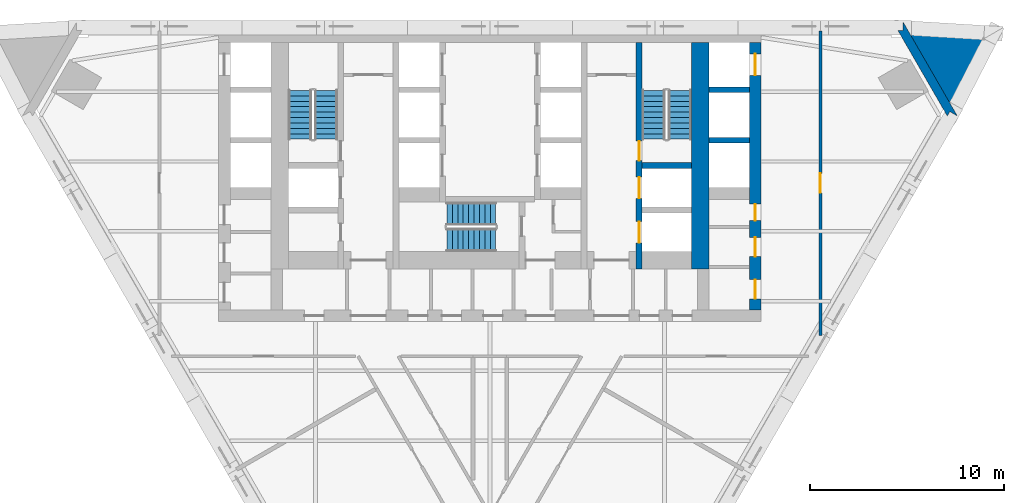
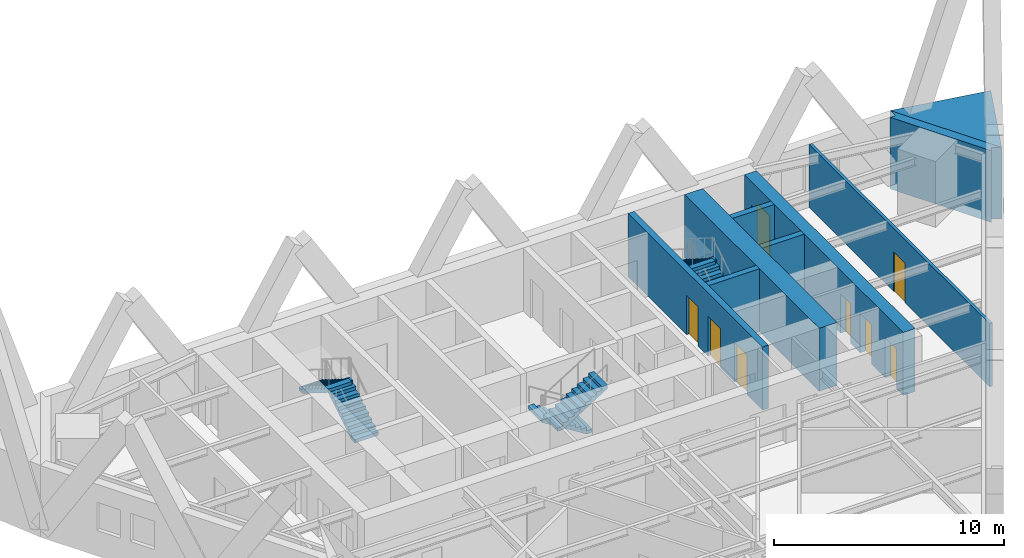
# One storey, part 6 of 7: 9 walls, 8 doors, 6 stair flights, 8 openings, 3 elements without a shape of their own.
"""IFC4 building model written with IfcOpenShell, lengths in metres."""

from ifc_helpers import new_model, si_unit, direction, frame, frame_2d, origin, place, context, subcontext, project, spatial, polyline, rectangle, outline, extrude, material, layer, layer_set, type_object, element, fill, aggregate, save


model = new_model("IFC4")

# Units and contexts
model_context = context("Model", 3, precision=1e-05, world=origin(), true_north=direction((0.0, 1.0)))
body_context = subcontext(model_context, "Body", "Model", "MODEL_VIEW")
ifc_project = project(units=[si_unit("LENGTHUNIT", "METRE"), si_unit("AREAUNIT", "SQUARE_METRE"), si_unit("VOLUMEUNIT", "CUBIC_METRE"), si_unit("PLANEANGLEUNIT", "RADIAN"), si_unit("MASSUNIT", "GRAM", prefix="KILO")], contexts=[model_context])

# Site, building, storey
site_placement = place(None, origin())
site = spatial("IfcSite", under=ifc_project, at=site_placement, CompositionType="ELEMENT")
building_placement = place(site_placement, origin())
building = spatial("IfcBuilding", under=site, at=building_placement, Name="Aloe Facet Convention Tower", CompositionType="ELEMENT")
storey_placement = place(building_placement, frame((0.0, 0.0, 81.800048828125)))
storey = spatial("IfcBuildingStorey", under=building, at=storey_placement, Name="L19", CompositionType="ELEMENT", Elevation=81.800048828125)

# Wall, openings, doors
ifc_material_1 = material(Name="Concrete C70/85", Category="concrete")
ifc_layer_1 = layer(ifc_material_1, 0.300048828125)
ifc_layer_set_1 = layer_set([ifc_layer_1], Name="CR-W-RC300-C7085")
wall_type_1 = type_object("IfcWallType", Name="CR-W-RC300-C7085", PredefinedType="SOLIDWALL", material=ifc_layer_set_1)
wall_1_placement = place(storey_placement, frame((87.699951171875, 133.949951171875, 0.0), z_axis=(0.0, 0.0, 1.0), x_axis=(0.0, -1.0, 0.0)))
wall_1 = element("IfcWall", 1, at=wall_1_placement, inside=storey, type_object=wall_type_1, Name="Core wall L19-043", PredefinedType="SOLIDWALL", context=body_context, shape_type="SweptSolid", body=[
    extrude(rectangle(XDim=11.699951171875, YDim=0.300048828125, at=frame_2d((5.85009765625, 0.0))), origin(), (0.0, 0.0, 1.0), 3.349853515625),
])
opening_1_placement = place(wall_1_placement, frame((6.949951171875, 0.0, 0.0)))
opening_1 = element("IfcOpeningElement", 2, at=opening_1_placement, cuts=wall_1, Name="Opening LD-FF2-L19", PredefinedType="OPENING", context=body_context, shape_type="SweptSolid", body=[
    extrude(rectangle(XDim=1.10009765625, YDim=2.10009765625, at=frame_2d((0.550048828125, 1.050048828125))), frame((0.0, 0.16015625, 0.0), z_axis=(0.0, -1.0, 0.0), x_axis=(1.0, 0.0, 0.0)), (0.0, 0.0, 1.0), 0.320068359375),
])
opening_2_placement = place(wall_1_placement, frame((5.10009765625, 0.0, 0.0)))
opening_2 = element("IfcOpeningElement", 3, at=opening_2_placement, cuts=wall_1, Name="Opening L19-CD32", PredefinedType="OPENING", context=body_context, shape_type="SweptSolid", body=[
    extrude(rectangle(XDim=1.0, YDim=2.10009765625, at=frame_2d((0.5, 1.050048828125))), frame((0.0, 0.16015625, 0.0), z_axis=(0.0, -1.0, 0.0), x_axis=(1.0, 0.0, 0.0)), (0.0, 0.0, 1.0), 0.320068359375),
])
opening_3_placement = place(wall_1_placement, frame((9.25, 0.0, 0.0)))
opening_3 = element("IfcOpeningElement", 4, at=opening_3_placement, cuts=wall_1, Name="Opening LD-SV1-L19", PredefinedType="OPENING", context=body_context, shape_type="SweptSolid", body=[
    extrude(rectangle(XDim=1.10009765625, YDim=2.10009765625, at=frame_2d((0.550048828125, 1.050048828125))), frame((0.0, 0.16015625, 0.0), z_axis=(0.0, -1.0, 0.0), x_axis=(1.0, 0.0, 0.0)), (0.0, 0.0, 1.0), 0.320068359375),
])
ifc_material_2 = material(Name="Steel fire-resisting door set FD120", Category="steel")
door_type_1 = type_object("IfcDoorType", Name="CR-D-STAIR-1000-FD120-SLEFT", OperationType="SINGLE_SWING_LEFT", PredefinedType="DOOR", material=ifc_material_2)
door_1_placement = place(opening_2_placement, origin())
door_1 = element("IfcDoor", 5, at=door_1_placement, inside=storey, type_object=door_type_1, Name="Core door L19-CD32", OperationType="SINGLE_SWING_LEFT", OverallHeight=2.10009765625, OverallWidth=1.0, PredefinedType="DOOR", context=body_context, shape_type="SweptSolid", body=[
    extrude(rectangle(XDim=1.0, YDim=2.10009765625, at=frame_2d((0.5, 1.050048828125))), frame((0.0, 0.02490234375, 0.0), z_axis=(0.0, -1.0, 0.0), x_axis=(1.0, 0.0, 0.0)), (0.0, 0.0, 1.0), 0.050048828125),
])
fill(opening_2, door_1)
ifc_material_3 = material(Name="Stainless steel sliding landing door", Category="steel")
door_type_2 = type_object("IfcDoorType", Name="CR-LD-1100-FD120-_LEFT", OperationType="SLIDING_TO_LEFT", PredefinedType="DOOR", material=ifc_material_3)
door_2_placement = place(opening_1_placement, origin())
door_2 = element("IfcDoor", 6, at=door_2_placement, inside=storey, type_object=door_type_2, Name="Landing door FF2 L19", OperationType="SLIDING_TO_LEFT", OverallHeight=2.10009765625, OverallWidth=1.10009765625, PredefinedType="DOOR", context=body_context, shape_type="SweptSolid", body=[
    extrude(rectangle(XDim=1.10009765625, YDim=2.10009765625, at=frame_2d((0.550048828125, 1.050048828125))), frame((0.0, 0.02490234375, 0.0), z_axis=(0.0, -1.0, 0.0), x_axis=(1.0, 0.0, 0.0)), (0.0, 0.0, 1.0), 0.050048828125),
])
fill(opening_1, door_2)
door_3_placement = place(opening_3_placement, origin())
door_3 = element("IfcDoor", 7, at=door_3_placement, inside=storey, type_object=door_type_2, Name="Landing door SV1 L19", OperationType="SLIDING_TO_LEFT", OverallHeight=2.10009765625, OverallWidth=1.10009765625, PredefinedType="DOOR", context=body_context, shape_type="SweptSolid", body=[
    extrude(rectangle(XDim=1.10009765625, YDim=2.10009765625, at=frame_2d((0.550048828125, 1.050048828125))), frame((0.0, 0.02490234375, 0.0), z_axis=(0.0, -1.0, 0.0), x_axis=(1.0, 0.0, 0.0)), (0.0, 0.0, 1.0), 0.050048828125),
])
fill(opening_3, door_3)

# Walls
wall_2_placement = place(storey_placement, frame((87.85009765625, 127.60009765625, 0.0), z_axis=(0.0, 0.0, 1.0), x_axis=(1.0, 0.0, 0.0)))
element("IfcWall", 8, at=wall_2_placement, inside=storey, type_object=wall_type_1, Name="Core wall L19-044", PredefinedType="SOLIDWALL", context=body_context, shape_type="SweptSolid", body=[
    extrude(rectangle(XDim=2.5498046875, YDim=0.300048828125, at=frame_2d((1.27490234375, 0.0))), origin(), (0.0, 0.0, 1.0), 3.349853515625),
])
for number, where, z_axis, x_axis, name in (
    (9, (91.300048828125, 131.5, 0.0), (0.0, 0.0, 1.0), (1.0, 0.0, 0.0), "Core wall L19-050"),
    (10, (91.300048828125, 128.89990234375, 0.0), (0.0, 0.0, 1.0), (1.0, 0.0, 0.0), "Core wall L19-051"),
):
    element("IfcWall", number, at=place(storey_placement, frame(where, z_axis=z_axis, x_axis=x_axis)), inside=storey, type_object=wall_type_1, Name=name, PredefinedType="SOLIDWALL", context=body_context, shape_type="SweptSolid", body=[
        extrude(rectangle(XDim=2.099853515625, YDim=0.300048828125, at=frame_2d((1.0498046875, 0.0))), origin(), (0.0, 0.0, 1.0), 3.349853515625),
    ])

# Wall, openings, doors
ifc_material_4 = material(Name="Concrete C70/85", Category="concrete")
ifc_layer_2 = layer(ifc_material_4, 0.60009765625)
ifc_layer_set_2 = layer_set([ifc_layer_2], Name="CR-W-RC600-C7085")
wall_type_2 = type_object("IfcWallType", Name="CR-W-RC600-C7085", PredefinedType="SOLIDWALL", material=ifc_layer_set_2)
wall_3_placement = place(storey_placement, frame((93.699951171875, 133.949951171875, 0.0), z_axis=(0.0, 0.0, 1.0), x_axis=(0.0, -1.0, 0.0)))
wall_3 = element("IfcWall", 11, at=wall_3_placement, inside=storey, type_object=wall_type_2, Name="Core wall L19-055", PredefinedType="SOLIDWALL", context=body_context, shape_type="SweptSolid", body=[
    extrude(rectangle(XDim=13.800048828125, YDim=0.60009765625, at=frame_2d((6.89990234375, 0.0))), origin(), (0.0, 0.0, 1.0), 3.349853515625),
])
opening_4_placement = place(wall_3_placement, frame((0.60009765625, 0.0, 0.0)))
opening_4 = element("IfcOpeningElement", 12, at=opening_4_placement, cuts=wall_3, Name="Opening LD-A8-L19", PredefinedType="OPENING", context=body_context, shape_type="SweptSolid", body=[
    extrude(rectangle(XDim=1.10009765625, YDim=2.10009765625, at=frame_2d((0.550048828125, 1.050048828125))), frame((0.0, 0.31005859375, 0.0), z_axis=(0.0, -1.0, 0.0), x_axis=(1.0, 0.0, 0.0)), (0.0, 0.0, 1.0), 0.6201171875),
])
opening_5_placement = place(wall_3_placement, frame((10.064208984375, 0.0, 0.0)))
opening_5 = element("IfcOpeningElement", 13, at=opening_5_placement, cuts=wall_3, Name="Opening L19-CD09", PredefinedType="OPENING", context=body_context, shape_type="SweptSolid", body=[
    extrude(rectangle(XDim=1.0, YDim=2.10009765625, at=frame_2d((0.5, 1.050048828125))), frame((0.0, 0.31005859375, 0.0), z_axis=(0.0, -1.0, 0.0), x_axis=(1.0, 0.0, 0.0)), (0.0, 0.0, 1.0), 0.6201171875),
])
opening_6_placement = place(wall_3_placement, frame((8.35009765625, 0.0, 0.0)))
opening_6 = element("IfcOpeningElement", 14, at=opening_6_placement, cuts=wall_3, Name="Opening L19-CD10", PredefinedType="OPENING", context=body_context, shape_type="SweptSolid", body=[
    extrude(rectangle(XDim=0.85009765625, YDim=2.10009765625, at=frame_2d((0.425048828125, 1.050048828125))), frame((0.0, 0.31005859375, 0.0), z_axis=(0.0, -1.0, 0.0), x_axis=(1.0, 0.0, 0.0)), (0.0, 0.0, 1.0), 0.6201171875),
])
opening_7_placement = place(wall_3_placement, frame((12.2392578125, 0.0, 0.0)))
opening_7 = element("IfcOpeningElement", 15, at=opening_7_placement, cuts=wall_3, Name="Opening L19-CD11", PredefinedType="OPENING", context=body_context, shape_type="SweptSolid", body=[
    extrude(rectangle(XDim=1.0, YDim=2.10009765625, at=frame_2d((0.5, 1.050048828125))), frame((0.0, 0.31005859375, 0.0), z_axis=(0.0, -1.0, 0.0), x_axis=(1.0, 0.0, 0.0)), (0.0, 0.0, 1.0), 0.6201171875),
])
ifc_material_5 = material(Name="Steel fire-resisting door set FD60", Category="steel")
door_type_3 = type_object("IfcDoorType", Name="CR-D-ROOM-1000-FD60-SLEFT", OperationType="SINGLE_SWING_LEFT", PredefinedType="DOOR", material=ifc_material_5)
door_4_placement = place(opening_5_placement, origin())
door_4 = element("IfcDoor", 16, at=door_4_placement, inside=storey, type_object=door_type_3, Name="Core door L19-CD09", OperationType="SINGLE_SWING_LEFT", OverallHeight=2.10009765625, OverallWidth=1.0, PredefinedType="DOOR", context=body_context, shape_type="SweptSolid", body=[
    extrude(rectangle(XDim=1.0, YDim=2.10009765625, at=frame_2d((0.5, 1.050048828125))), frame((0.0, 0.02490234375, 0.0), z_axis=(0.0, -1.0, 0.0), x_axis=(1.0, 0.0, 0.0)), (0.0, 0.0, 1.0), 0.050048828125),
])
fill(opening_5, door_4)
door_5_placement = place(opening_7_placement, origin())
door_5 = element("IfcDoor", 17, at=door_5_placement, inside=storey, type_object=door_type_3, Name="Core door L19-CD11", OperationType="SINGLE_SWING_LEFT", OverallHeight=2.10009765625, OverallWidth=1.0, PredefinedType="DOOR", context=body_context, shape_type="SweptSolid", body=[
    extrude(rectangle(XDim=1.0, YDim=2.10009765625, at=frame_2d((0.5, 1.050048828125))), frame((0.0, 0.02490234375, 0.0), z_axis=(0.0, -1.0, 0.0), x_axis=(1.0, 0.0, 0.0)), (0.0, 0.0, 1.0), 0.050048828125),
])
fill(opening_7, door_5)
ifc_material_6 = material(Name="Steel fire-resisting door set FD60", Category="steel")
door_type_4 = type_object("IfcDoorType", Name="CR-D-ROOM-850-FD60-SLEFT", OperationType="SINGLE_SWING_LEFT", PredefinedType="DOOR", material=ifc_material_6)
door_6_placement = place(opening_6_placement, origin())
door_6 = element("IfcDoor", 18, at=door_6_placement, inside=storey, type_object=door_type_4, Name="Core door L19-CD10", OperationType="SINGLE_SWING_LEFT", OverallHeight=2.10009765625, OverallWidth=0.85009765625, PredefinedType="DOOR", context=body_context, shape_type="SweptSolid", body=[
    extrude(rectangle(XDim=0.85009765625, YDim=2.10009765625, at=frame_2d((0.425048828125, 1.050048828125))), frame((0.0, 0.02490234375, 0.0), z_axis=(0.0, -1.0, 0.0), x_axis=(1.0, 0.0, 0.0)), (0.0, 0.0, 1.0), 0.050048828125),
])
fill(opening_6, door_6)
ifc_material_7 = material(Name="Stainless steel sliding landing door", Category="steel")
door_type_5 = type_object("IfcDoorType", Name="CR-LD-1100-FD60-_LEFT", OperationType="SLIDING_TO_LEFT", PredefinedType="DOOR", material=ifc_material_7)
door_7_placement = place(opening_4_placement, origin())
door_7 = element("IfcDoor", 19, at=door_7_placement, inside=storey, type_object=door_type_5, Name="Landing door A8 L19", OperationType="SLIDING_TO_LEFT", OverallHeight=2.10009765625, OverallWidth=1.10009765625, PredefinedType="DOOR", context=body_context, shape_type="SweptSolid", body=[
    extrude(rectangle(XDim=1.10009765625, YDim=2.10009765625, at=frame_2d((0.550048828125, 1.050048828125))), frame((0.0, 0.02490234375, 0.0), z_axis=(0.0, -1.0, 0.0), x_axis=(1.0, 0.0, 0.0)), (0.0, 0.0, 1.0), 0.050048828125),
])
fill(opening_4, door_7)

# Walls
ifc_material_8 = material(Name="Concrete C70/85", Category="concrete")
ifc_layer_3 = layer(ifc_material_8, 0.89990234375)
ifc_layer_set_3 = layer_set([ifc_layer_3], Name="CR-W-RC900-C7085")
wall_type_3 = type_object("IfcWallType", Name="CR-W-RC900-C7085", PredefinedType="SOLIDWALL", material=ifc_layer_set_3)
wall_4_placement = place(storey_placement, frame((90.85009765625, 133.949951171875, 0.0), z_axis=(0.0, 0.0, 1.0), x_axis=(0.0, -1.0, 0.0)))
element("IfcWall", 20, at=wall_4_placement, inside=storey, type_object=wall_type_3, Name="Core wall L19-048", PredefinedType="SOLIDWALL", context=body_context, shape_type="SweptSolid", body=[
    extrude(rectangle(XDim=11.699951171875, YDim=0.89990234375, at=frame_2d((5.85009765625, 0.0))), origin(), (0.0, 0.0, 1.0), 3.349853515625),
])
ifc_material_9 = material(Name="Precast concrete C40/50", Category="concrete")
ifc_layer_4 = layer(ifc_material_9, 0.449951171875)
ifc_layer_set_4 = layer_set([ifc_layer_4], Name="EV-WALL-PIER")
wall_type_4 = type_object("IfcWallType", Name="EV-WALL-PIER", PredefinedType="SOLIDWALL", material=ifc_layer_set_4)
wall_5_placement = place(storey_placement, frame((0.0, 0.0, -0.449951171875)))
element("IfcWall", 21, at=wall_5_placement, inside=storey, type_object=wall_type_4, Name="EP-L19-C", PredefinedType="SOLIDWALL", context=body_context, shape_type="SweptSolid", body=[
    extrude(outline(polyline([(104.12158203125, 130.150146484375), (103.73193359375, 130.375244140625), (103.601806640625, 130.150146484375), (101.061767578125, 134.550048828125), (101.321533203125, 134.550048828125), (101.321533203125, 135.0), (104.12158203125, 130.150146484375)])), origin(), (0.0, 0.0, 1.0), 3.7998046875),
])
ifc_material_10 = material(Name="Precast concrete C40/50", Category="concrete")
ifc_layer_5 = layer(ifc_material_10, 3.947998046875)
ifc_layer_set_5 = layer_set([ifc_layer_5], Name="EV-WALL-SPINE")
wall_type_5 = type_object("IfcWallType", Name="EV-WALL-SPINE", PredefinedType="SOLIDWALL", material=ifc_layer_set_5)
wall_6_placement = place(storey_placement, frame((0.0, 0.0, -0.449951171875)))
element("IfcWall", 22, at=wall_6_placement, inside=storey, type_object=wall_type_5, Name="SP-NE-L19", PredefinedType="SOLIDWALL", context=body_context, shape_type="SweptSolid", body=[
    extrude(outline(polyline([(104.12158203125, 130.150146484375), (105.870849609375, 134.123779296875), (101.321533203125, 135.0), (104.12158203125, 130.150146484375)])), origin(), (0.0, 0.0, 1.0), 3.7998046875),
])

# Wall, opening, door
ifc_material_11 = material(Name="Gypsum board partition on steel studs", Category="steel")
ifc_layer_6 = layer(ifc_material_11, 0.14990234375)
ifc_layer_set_6 = layer_set([ifc_layer_6], Name="IN-W-CORR")
wall_type_6 = type_object("IfcWallType", Name="IN-W-CORR", PredefinedType="PARTITIONING", material=ifc_layer_set_6)
wall_7_placement = place(storey_placement, frame((97.05712890625, 118.83447265625, 0.0), z_axis=(0.0, 0.0, 1.0), x_axis=(0.0, 1.0, 0.0)))
wall_7 = element("IfcWall", 23, at=wall_7_placement, inside=storey, type_object=wall_type_6, Name="Partition L19-W027", PredefinedType="PARTITIONING", context=body_context, shape_type="SweptSolid", body=[
    extrude(rectangle(XDim=15.70556640625, YDim=0.14990234375, at=frame_2d((7.852783203125, 0.0))), origin(), (0.0, 0.0, 1.0), 3.349853515625),
])
opening_8_placement = place(wall_7_placement, frame((7.352783203125, 0.0, 0.0)))
opening_8 = element("IfcOpeningElement", 24, at=opening_8_placement, cuts=wall_7, Name="Opening L19-006", PredefinedType="OPENING", context=body_context, shape_type="SweptSolid", body=[
    extrude(rectangle(XDim=1.0, YDim=2.10009765625, at=frame_2d((0.5, 1.050048828125))), frame((0.0, 0.0849609375, 0.0), z_axis=(0.0, -1.0, 0.0), x_axis=(1.0, 0.0, 0.0)), (0.0, 0.0, 1.0), 0.169921875),
])
ifc_material_12 = material(Name="Hardwood flush door FD30S", Category="wood")
door_type_6 = type_object("IfcDoorType", Name="IN-D-WIDE", OperationType="SINGLE_SWING_LEFT", PredefinedType="DOOR", material=ifc_material_12)
door_8_placement = place(opening_8_placement, origin())
door_8 = element("IfcDoor", 25, at=door_8_placement, inside=storey, type_object=door_type_6, Name="Door L19-006", OperationType="SINGLE_SWING_LEFT", OverallHeight=2.10009765625, OverallWidth=1.0, PredefinedType="DOOR", context=body_context, shape_type="SweptSolid", body=[
    extrude(rectangle(XDim=1.0, YDim=2.10009765625, at=frame_2d((0.5, 1.050048828125))), frame((0.0, 0.02490234375, 0.0), z_axis=(0.0, -1.0, 0.0), x_axis=(1.0, 0.0, 0.0)), (0.0, 0.0, 1.0), 0.050048828125),
])
fill(opening_8, door_8)

# Stair, stair flights
ifc_material_13 = material(Name="Concrete C50/60", Category="concrete")
stair_type = type_object("IfcStairType", Name="CR-ST-20R", PredefinedType="HALF_TURN_STAIR", material=ifc_material_13)
stair_1_placement = place(storey_placement, origin())
stair_1 = element("IfcStair", 26, at=stair_1_placement, inside=storey, type_object=stair_type, Name="L19 Protected exit stair ST1", PredefinedType="HALF_TURN_STAIR")
ifc_material_14 = material(Name="Concrete C50/60", Category="concrete")
stair_flight_type = type_object("IfcStairFlightType", Name="CR-SFL-20R", PredefinedType="STRAIGHT", material=ifc_material_14)
stair_flight_1_placement = place(storey_placement, frame((71.550048828125, 128.949951171875, 0.0), z_axis=(0.0, 0.0, 1.0), x_axis=(0.0, 1.0, 0.0)))
stair_flight_1 = element("IfcStairFlight", 27, at=stair_flight_1_placement, type_object=stair_flight_type, Name="ST1 flight 1", NumberOfRisers=10, NumberOfTreads=9, PredefinedType="STRAIGHT", RiserHeight=0.175, TreadLength=0.28, context=body_context, shape_type="SweptSolid", body=[
    extrude(outline(polyline([(0.0, 0.0), (0.0, 0.175048828125), (0.280029296875, 0.175048828125), (0.280029296875, 0.35009765625), (0.56005859375, 0.35009765625), (0.56005859375, 0.52490234375), (0.840087890625, 0.52490234375), (0.840087890625, 0.699951171875), (1.1201171875, 0.699951171875), (1.1201171875, 0.875), (1.39990234375, 0.875), (1.39990234375, 1.050048828125), (1.679931640625, 1.050048828125), (1.679931640625, 1.22509765625), (1.9599609375, 1.22509765625), (1.9599609375, 1.39990234375), (2.239990234375, 1.39990234375), (2.239990234375, 1.574951171875), (2.52001953125, 1.574951171875), (2.52001953125, 1.75), (2.52001953125, 1.398193359375), (0.28271484375, 0.0), (0.0, 0.0)])), frame((0.0, 0.60009765625, 0.0), z_axis=(0.0, -1.0, 0.0), x_axis=(1.0, 0.0, 0.0)), (0.0, 0.0, 1.0), 1.199951171875),
])
stair_flight_2_placement = place(storey_placement, frame((70.199951171875, 131.469970703125, 1.75), z_axis=(0.0, 0.0, 1.0), x_axis=(0.0, -1.0, 0.0)))
stair_flight_2 = element("IfcStairFlight", 28, at=stair_flight_2_placement, type_object=stair_flight_type, Name="ST1 flight 2", NumberOfRisers=10, NumberOfTreads=9, PredefinedType="STRAIGHT", RiserHeight=0.175, TreadLength=0.28, context=body_context, shape_type="SweptSolid", body=[
    extrude(outline(polyline([(0.0, 0.0), (0.0, 0.175048828125), (0.280029296875, 0.175048828125), (0.280029296875, 0.35009765625), (0.56005859375, 0.35009765625), (0.56005859375, 0.52490234375), (0.840087890625, 0.52490234375), (0.840087890625, 0.699951171875), (1.1201171875, 0.699951171875), (1.1201171875, 0.875), (1.39990234375, 0.875), (1.39990234375, 1.050048828125), (1.679931640625, 1.050048828125), (1.679931640625, 1.22509765625), (1.9599609375, 1.22509765625), (1.9599609375, 1.39990234375), (2.239990234375, 1.39990234375), (2.239990234375, 1.574951171875), (2.52001953125, 1.574951171875), (2.52001953125, 1.75), (2.52001953125, 1.398193359375), (0.28271484375, 0.0), (0.0, 0.0)])), frame((0.0, 0.60009765625, 0.0), z_axis=(0.0, -1.0, 0.0), x_axis=(1.0, 0.0, 0.0)), (0.0, 0.0, 1.0), 1.199951171875),
])
aggregate(stair_1, [stair_flight_1, stair_flight_2])

stair_2_placement = place(storey_placement, origin())
stair_2 = element("IfcStair", 29, at=stair_2_placement, inside=storey, type_object=stair_type, Name="L19 Protected exit stair ST2", PredefinedType="HALF_TURN_STAIR")
stair_flight_3_placement = place(storey_placement, frame((89.800048828125, 128.949951171875, 0.0), z_axis=(0.0, 0.0, 1.0), x_axis=(0.0, 1.0, 0.0)))
stair_flight_3 = element("IfcStairFlight", 30, at=stair_flight_3_placement, type_object=stair_flight_type, Name="ST2 flight 1", NumberOfRisers=10, NumberOfTreads=9, PredefinedType="STRAIGHT", RiserHeight=0.175, TreadLength=0.28, context=body_context, shape_type="SweptSolid", body=[
    extrude(outline(polyline([(0.0, 0.0), (0.0, 0.175048828125), (0.280029296875, 0.175048828125), (0.280029296875, 0.35009765625), (0.56005859375, 0.35009765625), (0.56005859375, 0.52490234375), (0.840087890625, 0.52490234375), (0.840087890625, 0.699951171875), (1.1201171875, 0.699951171875), (1.1201171875, 0.875), (1.39990234375, 0.875), (1.39990234375, 1.050048828125), (1.679931640625, 1.050048828125), (1.679931640625, 1.22509765625), (1.9599609375, 1.22509765625), (1.9599609375, 1.39990234375), (2.239990234375, 1.39990234375), (2.239990234375, 1.574951171875), (2.52001953125, 1.574951171875), (2.52001953125, 1.75), (2.52001953125, 1.398193359375), (0.28271484375, 0.0), (0.0, 0.0)])), frame((0.0, 0.60009765625, 0.0), z_axis=(0.0, -1.0, 0.0), x_axis=(1.0, 0.0, 0.0)), (0.0, 0.0, 1.0), 1.199951171875),
])
stair_flight_4_placement = place(storey_placement, frame((88.449951171875, 131.469970703125, 1.75), z_axis=(0.0, 0.0, 1.0), x_axis=(0.0, -1.0, 0.0)))
stair_flight_4 = element("IfcStairFlight", 31, at=stair_flight_4_placement, type_object=stair_flight_type, Name="ST2 flight 2", NumberOfRisers=10, NumberOfTreads=9, PredefinedType="STRAIGHT", RiserHeight=0.175, TreadLength=0.28, context=body_context, shape_type="SweptSolid", body=[
    extrude(outline(polyline([(0.0, 0.0), (0.0, 0.175048828125), (0.280029296875, 0.175048828125), (0.280029296875, 0.35009765625), (0.56005859375, 0.35009765625), (0.56005859375, 0.52490234375), (0.840087890625, 0.52490234375), (0.840087890625, 0.699951171875), (1.1201171875, 0.699951171875), (1.1201171875, 0.875), (1.39990234375, 0.875), (1.39990234375, 1.050048828125), (1.679931640625, 1.050048828125), (1.679931640625, 1.22509765625), (1.9599609375, 1.22509765625), (1.9599609375, 1.39990234375), (2.239990234375, 1.39990234375), (2.239990234375, 1.574951171875), (2.52001953125, 1.574951171875), (2.52001953125, 1.75), (2.52001953125, 1.398193359375), (0.28271484375, 0.0), (0.0, 0.0)])), frame((0.0, 0.60009765625, 0.0), z_axis=(0.0, -1.0, 0.0), x_axis=(1.0, 0.0, 0.0)), (0.0, 0.0, 1.0), 1.199951171875),
])
aggregate(stair_2, [stair_flight_3, stair_flight_4])

stair_3_placement = place(storey_placement, origin())
stair_3 = element("IfcStair", 32, at=stair_3_placement, inside=storey, type_object=stair_type, Name="L19 Protected exit stair ST3", PredefinedType="HALF_TURN_STAIR")
stair_flight_5_placement = place(storey_placement, frame((80.300048828125, 125.10009765625, 0.0), z_axis=(0.0, 0.0, 1.0), x_axis=(-1.0, 0.0, 0.0)))
stair_flight_5 = element("IfcStairFlight", 33, at=stair_flight_5_placement, type_object=stair_flight_type, Name="ST3 flight 1", NumberOfRisers=10, NumberOfTreads=9, PredefinedType="STRAIGHT", RiserHeight=0.175, TreadLength=0.28, context=body_context, shape_type="SweptSolid", body=[
    extrude(outline(polyline([(0.0, 0.0), (0.0, 0.175048828125), (0.280029296875, 0.175048828125), (0.280029296875, 0.35009765625), (0.56005859375, 0.35009765625), (0.56005859375, 0.52490234375), (0.840087890625, 0.52490234375), (0.840087890625, 0.699951171875), (1.1201171875, 0.699951171875), (1.1201171875, 0.875), (1.39990234375, 0.875), (1.39990234375, 1.050048828125), (1.679931640625, 1.050048828125), (1.679931640625, 1.22509765625), (1.9599609375, 1.22509765625), (1.9599609375, 1.39990234375), (2.239990234375, 1.39990234375), (2.239990234375, 1.574951171875), (2.52001953125, 1.574951171875), (2.52001953125, 1.75), (2.52001953125, 1.398193359375), (0.28271484375, 0.0), (0.0, 0.0)])), frame((0.0, 0.60009765625, 0.0), z_axis=(0.0, -1.0, 0.0), x_axis=(1.0, 0.0, 0.0)), (0.0, 0.0, 1.0), 1.199951171875),
])
stair_flight_6_placement = place(storey_placement, frame((77.780029296875, 123.75, 1.75), z_axis=(0.0, 0.0, 1.0), x_axis=(1.0, 0.0, 0.0)))
stair_flight_6 = element("IfcStairFlight", 34, at=stair_flight_6_placement, type_object=stair_flight_type, Name="ST3 flight 2", NumberOfRisers=10, NumberOfTreads=9, PredefinedType="STRAIGHT", RiserHeight=0.175, TreadLength=0.28, context=body_context, shape_type="SweptSolid", body=[
    extrude(outline(polyline([(0.0, 0.0), (0.0, 0.175048828125), (0.280029296875, 0.175048828125), (0.280029296875, 0.35009765625), (0.56005859375, 0.35009765625), (0.56005859375, 0.52490234375), (0.840087890625, 0.52490234375), (0.840087890625, 0.699951171875), (1.1201171875, 0.699951171875), (1.1201171875, 0.875), (1.39990234375, 0.875), (1.39990234375, 1.050048828125), (1.679931640625, 1.050048828125), (1.679931640625, 1.22509765625), (1.9599609375, 1.22509765625), (1.9599609375, 1.39990234375), (2.239990234375, 1.39990234375), (2.239990234375, 1.574951171875), (2.52001953125, 1.574951171875), (2.52001953125, 1.75), (2.52001953125, 1.398193359375), (0.28271484375, 0.0), (0.0, 0.0)])), frame((0.0, 0.60009765625, 0.0), z_axis=(0.0, -1.0, 0.0), x_axis=(1.0, 0.0, 0.0)), (0.0, 0.0, 1.0), 1.199951171875),
])
aggregate(stair_3, [stair_flight_5, stair_flight_6])

save(model, "model.ifc")
